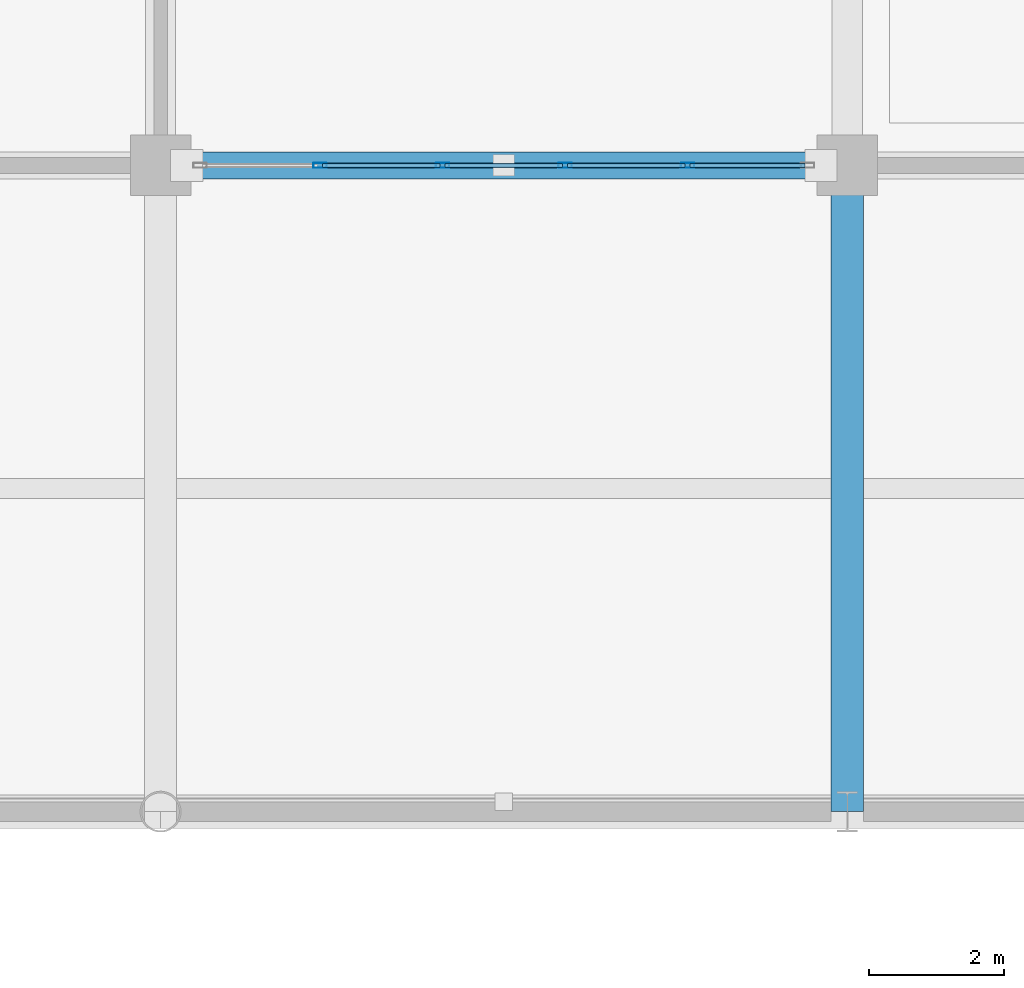
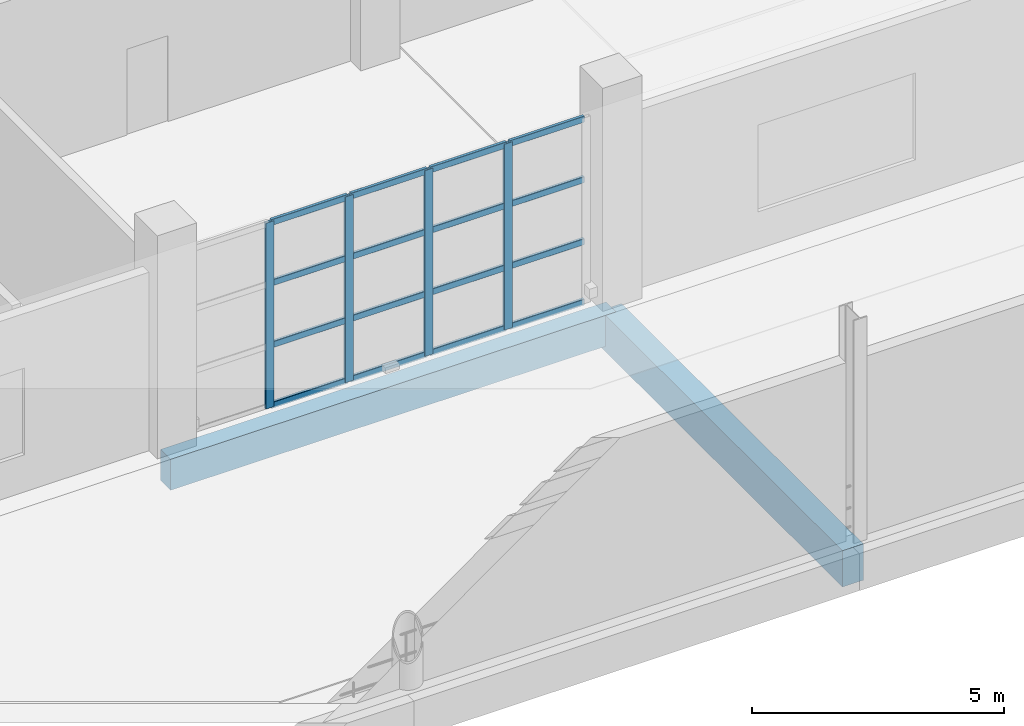
# One storey, part 40 of 175: 20 members, 2 beams, 1 element without a shape of its own.
"""IFC4 building model written with IfcOpenShell, lengths in metres."""

from ifc_helpers import new_model, si_unit, direction, frame, origin, origin_2d, place, context, subcontext, project, spatial, rectangle, hollow_rectangle, extrude, material, material_profile, profile_set, type_object, element, aggregate, save


model = new_model("IFC4")

# Units and contexts
model_context = context("Model", 3, precision=1e-05, world=origin(), true_north=direction((0.0, 1.0)))
body_context = subcontext(model_context, "Body", "Model", "MODEL_VIEW")
ifc_project = project(units=[si_unit("LENGTHUNIT", "METRE"), si_unit("AREAUNIT", "SQUARE_METRE"), si_unit("VOLUMEUNIT", "CUBIC_METRE"), si_unit("PLANEANGLEUNIT", "RADIAN"), si_unit("MASSUNIT", "GRAM", prefix="KILO")], contexts=[model_context])

# Site, building, storey
site_placement = place(None, origin())
site = spatial("IfcSite", under=ifc_project, at=site_placement, CompositionType="ELEMENT")
building_placement = place(site_placement, origin())
building = spatial("IfcBuilding", under=site, at=building_placement, Name="Brelvane Convention Centre", CompositionType="ELEMENT")
storey_placement = place(building_placement, frame((0.0, 0.0, 5.39990234375)))
storey = spatial("IfcBuildingStorey", under=building, at=storey_placement, Name="L01", CompositionType="ELEMENT", Elevation=5.39990234375)

# Curtain wall, members
ifc_material_1 = material(Name="Anodised Aluminium Alloy 6063-T6", Category="aluminium")
curtain_wall_type = type_object("IfcCurtainWallType", Name="Curtain Wall CW-COURT", PredefinedType="USERDEFINED", material=ifc_material_1)
curtain_wall_placement = place(storey_placement, origin())
curtain_wall = element("IfcCurtainWall", 1, at=curtain_wall_placement, inside=storey, type_object=curtain_wall_type, Name="Curtain Wall CW-COURT L01-V4S-07", ObjectType="UNITISED", PredefinedType="USERDEFINED")
ifc_material_2 = material(Name="Anodised Aluminium Alloy 6063-T6", Category="aluminium")
ifc_material_profile_1 = material_profile(ifc_material_2, hollow_rectangle(XDim=0.074951171875, YDim=0.199951171875, WallThickness=0.0048828125, InnerFilletRadius=0.0048828125, OuterFilletRadius=0.010009765625, at=origin_2d()), Name="ALU-M 200x75x5.0")
ifc_profile_set_1 = profile_set([ifc_material_profile_1], Name="Anodised Aluminium Alloy 6063-T6")
member_type_1 = type_object("IfcMemberType", Name="Curtain Mullion CW-M2", PredefinedType="MULLION", material=ifc_profile_set_1)
member_1_placement = place(storey_placement, frame((63.570068359375, 109.199951171875, 0.0), z_axis=(0.0, 0.0, 1.0), x_axis=(0.0, 1.0, 0.0)))
member_1 = element("IfcMember", 2, at=member_1_placement, type_object=member_type_1, Name="CW-COURT mullion 2", PredefinedType="MULLION", context=body_context, shape_type="SweptSolid", body=[
    extrude(hollow_rectangle(XDim=0.074951171875, YDim=0.199951171875, WallThickness=0.0048828125, InnerFilletRadius=0.0048828125, OuterFilletRadius=0.010009765625, at=origin_2d()), origin(), (0.0, 0.0, 1.0), 4.5),
])
member_2_placement = place(storey_placement, frame((65.389892578125, 109.199951171875, 0.0), z_axis=(0.0, 0.0, 1.0), x_axis=(0.0, 1.0, 0.0)))
member_2 = element("IfcMember", 3, at=member_2_placement, type_object=member_type_1, Name="CW-COURT mullion 3", PredefinedType="MULLION", context=body_context, shape_type="SweptSolid", body=[
    extrude(hollow_rectangle(XDim=0.074951171875, YDim=0.199951171875, WallThickness=0.0048828125, InnerFilletRadius=0.0048828125, OuterFilletRadius=0.010009765625, at=origin_2d()), origin(), (0.0, 0.0, 1.0), 4.5),
])
member_3_placement = place(storey_placement, frame((67.2099609375, 109.199951171875, 0.0), z_axis=(0.0, 0.0, 1.0), x_axis=(0.0, 1.0, 0.0)))
member_3 = element("IfcMember", 4, at=member_3_placement, type_object=member_type_1, Name="CW-COURT mullion 4", PredefinedType="MULLION", context=body_context, shape_type="SweptSolid", body=[
    extrude(hollow_rectangle(XDim=0.074951171875, YDim=0.199951171875, WallThickness=0.0048828125, InnerFilletRadius=0.0048828125, OuterFilletRadius=0.010009765625, at=origin_2d()), origin(), (0.0, 0.0, 1.0), 4.5),
])
member_4_placement = place(storey_placement, frame((69.030029296875, 109.199951171875, 0.0), z_axis=(0.0, 0.0, 1.0), x_axis=(0.0, 1.0, 0.0)))
member_4 = element("IfcMember", 5, at=member_4_placement, type_object=member_type_1, Name="CW-COURT mullion 5", PredefinedType="MULLION", context=body_context, shape_type="SweptSolid", body=[
    extrude(hollow_rectangle(XDim=0.074951171875, YDim=0.199951171875, WallThickness=0.0048828125, InnerFilletRadius=0.0048828125, OuterFilletRadius=0.010009765625, at=origin_2d()), origin(), (0.0, 0.0, 1.0), 4.5),
])
ifc_material_3 = material(Name="Anodised Aluminium Alloy 6063-T6", Category="aluminium")
ifc_material_profile_2 = material_profile(ifc_material_3, hollow_rectangle(XDim=0.070068359375, YDim=0.14990234375, WallThickness=0.00439453125, InnerFilletRadius=0.00439453125, OuterFilletRadius=0.009033203125, at=origin_2d()), Name="ALU-T 150x70x4.5")
ifc_profile_set_2 = profile_set([ifc_material_profile_2], Name="Anodised Aluminium Alloy 6063-T6")
member_type_2 = type_object("IfcMemberType", Name="Curtain Transom CW-T2", PredefinedType="USERDEFINED", material=ifc_profile_set_2)
member_5_placement = place(storey_placement, frame((63.607421875, 109.199951171875, 0.03515625), z_axis=(1.0, 0.0, 0.0), x_axis=(0.0, 1.0, 0.0)))
member_5 = element("IfcMember", 6, at=member_5_placement, type_object=member_type_2, Name="CW-COURT transom 2.1", ObjectType="TRANSOM", PredefinedType="USERDEFINED", context=body_context, shape_type="SweptSolid", body=[
    extrude(hollow_rectangle(XDim=0.070068359375, YDim=0.14990234375, WallThickness=0.00439453125, InnerFilletRadius=0.00439453125, OuterFilletRadius=0.009033203125, at=origin_2d()), origin(), (0.0, 0.0, 1.0), 1.7451171875),
])
member_6_placement = place(storey_placement, frame((63.607421875, 109.199951171875, 1.5), z_axis=(1.0, 0.0, 0.0), x_axis=(0.0, 1.0, 0.0)))
member_6 = element("IfcMember", 7, at=member_6_placement, type_object=member_type_2, Name="CW-COURT transom 2.2", ObjectType="TRANSOM", PredefinedType="USERDEFINED", context=body_context, shape_type="SweptSolid", body=[
    extrude(hollow_rectangle(XDim=0.070068359375, YDim=0.14990234375, WallThickness=0.00439453125, InnerFilletRadius=0.00439453125, OuterFilletRadius=0.009033203125, at=origin_2d()), origin(), (0.0, 0.0, 1.0), 1.7451171875),
])
member_7_placement = place(storey_placement, frame((63.607421875, 109.199951171875, 3.0), z_axis=(1.0, 0.0, 0.0), x_axis=(0.0, 1.0, 0.0)))
member_7 = element("IfcMember", 8, at=member_7_placement, type_object=member_type_2, Name="CW-COURT transom 2.3", ObjectType="TRANSOM", PredefinedType="USERDEFINED", context=body_context, shape_type="SweptSolid", body=[
    extrude(hollow_rectangle(XDim=0.070068359375, YDim=0.14990234375, WallThickness=0.00439453125, InnerFilletRadius=0.00439453125, OuterFilletRadius=0.009033203125, at=origin_2d()), origin(), (0.0, 0.0, 1.0), 1.7451171875),
])
member_8_placement = place(storey_placement, frame((63.607421875, 109.199951171875, 4.465087890625), z_axis=(1.0, 0.0, 0.0), x_axis=(0.0, 1.0, 0.0)))
member_8 = element("IfcMember", 9, at=member_8_placement, type_object=member_type_2, Name="CW-COURT transom 2.4", ObjectType="TRANSOM", PredefinedType="USERDEFINED", context=body_context, shape_type="SweptSolid", body=[
    extrude(hollow_rectangle(XDim=0.070068359375, YDim=0.14990234375, WallThickness=0.00439453125, InnerFilletRadius=0.00439453125, OuterFilletRadius=0.009033203125, at=origin_2d()), origin(), (0.0, 0.0, 1.0), 1.7451171875),
])
member_9_placement = place(storey_placement, frame((65.427490234375, 109.199951171875, 0.03515625), z_axis=(1.0, 0.0, 0.0), x_axis=(0.0, 1.0, 0.0)))
member_9 = element("IfcMember", 10, at=member_9_placement, type_object=member_type_2, Name="CW-COURT transom 3.1", ObjectType="TRANSOM", PredefinedType="USERDEFINED", context=body_context, shape_type="SweptSolid", body=[
    extrude(hollow_rectangle(XDim=0.070068359375, YDim=0.14990234375, WallThickness=0.00439453125, InnerFilletRadius=0.00439453125, OuterFilletRadius=0.009033203125, at=origin_2d()), origin(), (0.0, 0.0, 1.0), 1.7451171875),
])
member_10_placement = place(storey_placement, frame((65.427490234375, 109.199951171875, 1.5), z_axis=(1.0, 0.0, 0.0), x_axis=(0.0, 1.0, 0.0)))
member_10 = element("IfcMember", 11, at=member_10_placement, type_object=member_type_2, Name="CW-COURT transom 3.2", ObjectType="TRANSOM", PredefinedType="USERDEFINED", context=body_context, shape_type="SweptSolid", body=[
    extrude(hollow_rectangle(XDim=0.070068359375, YDim=0.14990234375, WallThickness=0.00439453125, InnerFilletRadius=0.00439453125, OuterFilletRadius=0.009033203125, at=origin_2d()), origin(), (0.0, 0.0, 1.0), 1.7451171875),
])
member_11_placement = place(storey_placement, frame((65.427490234375, 109.199951171875, 3.0), z_axis=(1.0, 0.0, 0.0), x_axis=(0.0, 1.0, 0.0)))
member_11 = element("IfcMember", 12, at=member_11_placement, type_object=member_type_2, Name="CW-COURT transom 3.3", ObjectType="TRANSOM", PredefinedType="USERDEFINED", context=body_context, shape_type="SweptSolid", body=[
    extrude(hollow_rectangle(XDim=0.070068359375, YDim=0.14990234375, WallThickness=0.00439453125, InnerFilletRadius=0.00439453125, OuterFilletRadius=0.009033203125, at=origin_2d()), origin(), (0.0, 0.0, 1.0), 1.7451171875),
])
member_12_placement = place(storey_placement, frame((65.427490234375, 109.199951171875, 4.465087890625), z_axis=(1.0, 0.0, 0.0), x_axis=(0.0, 1.0, 0.0)))
member_12 = element("IfcMember", 13, at=member_12_placement, type_object=member_type_2, Name="CW-COURT transom 3.4", ObjectType="TRANSOM", PredefinedType="USERDEFINED", context=body_context, shape_type="SweptSolid", body=[
    extrude(hollow_rectangle(XDim=0.070068359375, YDim=0.14990234375, WallThickness=0.00439453125, InnerFilletRadius=0.00439453125, OuterFilletRadius=0.009033203125, at=origin_2d()), origin(), (0.0, 0.0, 1.0), 1.7451171875),
])
member_13_placement = place(storey_placement, frame((67.24755859375, 109.199951171875, 0.03515625), z_axis=(1.0, 0.0, 0.0), x_axis=(0.0, 1.0, 0.0)))
member_13 = element("IfcMember", 14, at=member_13_placement, type_object=member_type_2, Name="CW-COURT transom 4.1", ObjectType="TRANSOM", PredefinedType="USERDEFINED", context=body_context, shape_type="SweptSolid", body=[
    extrude(hollow_rectangle(XDim=0.070068359375, YDim=0.14990234375, WallThickness=0.00439453125, InnerFilletRadius=0.00439453125, OuterFilletRadius=0.009033203125, at=origin_2d()), origin(), (0.0, 0.0, 1.0), 1.744873046875),
])
member_14_placement = place(storey_placement, frame((67.24755859375, 109.199951171875, 1.5), z_axis=(1.0, 0.0, 0.0), x_axis=(0.0, 1.0, 0.0)))
member_14 = element("IfcMember", 15, at=member_14_placement, type_object=member_type_2, Name="CW-COURT transom 4.2", ObjectType="TRANSOM", PredefinedType="USERDEFINED", context=body_context, shape_type="SweptSolid", body=[
    extrude(hollow_rectangle(XDim=0.070068359375, YDim=0.14990234375, WallThickness=0.00439453125, InnerFilletRadius=0.00439453125, OuterFilletRadius=0.009033203125, at=origin_2d()), origin(), (0.0, 0.0, 1.0), 1.744873046875),
])
member_15_placement = place(storey_placement, frame((67.24755859375, 109.199951171875, 3.0), z_axis=(1.0, 0.0, 0.0), x_axis=(0.0, 1.0, 0.0)))
member_15 = element("IfcMember", 16, at=member_15_placement, type_object=member_type_2, Name="CW-COURT transom 4.3", ObjectType="TRANSOM", PredefinedType="USERDEFINED", context=body_context, shape_type="SweptSolid", body=[
    extrude(hollow_rectangle(XDim=0.070068359375, YDim=0.14990234375, WallThickness=0.00439453125, InnerFilletRadius=0.00439453125, OuterFilletRadius=0.009033203125, at=origin_2d()), origin(), (0.0, 0.0, 1.0), 1.744873046875),
])
member_16_placement = place(storey_placement, frame((67.24755859375, 109.199951171875, 4.465087890625), z_axis=(1.0, 0.0, 0.0), x_axis=(0.0, 1.0, 0.0)))
member_16 = element("IfcMember", 17, at=member_16_placement, type_object=member_type_2, Name="CW-COURT transom 4.4", ObjectType="TRANSOM", PredefinedType="USERDEFINED", context=body_context, shape_type="SweptSolid", body=[
    extrude(hollow_rectangle(XDim=0.070068359375, YDim=0.14990234375, WallThickness=0.00439453125, InnerFilletRadius=0.00439453125, OuterFilletRadius=0.009033203125, at=origin_2d()), origin(), (0.0, 0.0, 1.0), 1.744873046875),
])
member_17_placement = place(storey_placement, frame((69.0673828125, 109.199951171875, 0.03515625), z_axis=(1.0, 0.0, 0.0), x_axis=(0.0, 1.0, 0.0)))
member_17 = element("IfcMember", 18, at=member_17_placement, type_object=member_type_2, Name="CW-COURT transom 5.1", ObjectType="TRANSOM", PredefinedType="USERDEFINED", context=body_context, shape_type="SweptSolid", body=[
    extrude(hollow_rectangle(XDim=0.070068359375, YDim=0.14990234375, WallThickness=0.00439453125, InnerFilletRadius=0.00439453125, OuterFilletRadius=0.009033203125, at=origin_2d()), origin(), (0.0, 0.0, 1.0), 1.70751953125),
])
member_18_placement = place(storey_placement, frame((69.0673828125, 109.199951171875, 1.5), z_axis=(1.0, 0.0, 0.0), x_axis=(0.0, 1.0, 0.0)))
member_18 = element("IfcMember", 19, at=member_18_placement, type_object=member_type_2, Name="CW-COURT transom 5.2", ObjectType="TRANSOM", PredefinedType="USERDEFINED", context=body_context, shape_type="SweptSolid", body=[
    extrude(hollow_rectangle(XDim=0.070068359375, YDim=0.14990234375, WallThickness=0.00439453125, InnerFilletRadius=0.00439453125, OuterFilletRadius=0.009033203125, at=origin_2d()), origin(), (0.0, 0.0, 1.0), 1.70751953125),
])
member_19_placement = place(storey_placement, frame((69.0673828125, 109.199951171875, 3.0), z_axis=(1.0, 0.0, 0.0), x_axis=(0.0, 1.0, 0.0)))
member_19 = element("IfcMember", 20, at=member_19_placement, type_object=member_type_2, Name="CW-COURT transom 5.3", ObjectType="TRANSOM", PredefinedType="USERDEFINED", context=body_context, shape_type="SweptSolid", body=[
    extrude(hollow_rectangle(XDim=0.070068359375, YDim=0.14990234375, WallThickness=0.00439453125, InnerFilletRadius=0.00439453125, OuterFilletRadius=0.009033203125, at=origin_2d()), origin(), (0.0, 0.0, 1.0), 1.70751953125),
])
member_20_placement = place(storey_placement, frame((69.0673828125, 109.199951171875, 4.465087890625), z_axis=(1.0, 0.0, 0.0), x_axis=(0.0, 1.0, 0.0)))
member_20 = element("IfcMember", 21, at=member_20_placement, type_object=member_type_2, Name="CW-COURT transom 5.4", ObjectType="TRANSOM", PredefinedType="USERDEFINED", context=body_context, shape_type="SweptSolid", body=[
    extrude(hollow_rectangle(XDim=0.070068359375, YDim=0.14990234375, WallThickness=0.00439453125, InnerFilletRadius=0.00439453125, OuterFilletRadius=0.009033203125, at=origin_2d()), origin(), (0.0, 0.0, 1.0), 1.70751953125),
])
aggregate(curtain_wall, [member_1, member_2, member_3, member_4, member_5, member_6, member_7, member_8, member_9, member_10, member_11, member_12, member_13, member_14, member_15, member_16, member_17, member_18, member_19, member_20])

# Beams
ifc_material_4 = material(Name="Concrete M40", Category="concrete")
ifc_material_profile_3 = material_profile(ifc_material_4, rectangle(XDim=0.47998046875, YDim=0.8798828125, at=origin_2d()), Name="RC 480x880")
ifc_profile_set_3 = profile_set([ifc_material_profile_3], Name="Concrete M40")
beam_type_1 = type_object("IfcBeamType", Name="RC Beam B-RC10 (RC 480x880)", PredefinedType="BEAM", material=ifc_profile_set_3)
beam_1_placement = place(storey_placement, frame((71.39990234375, 99.60009765625, -0.760009765625), z_axis=(0.0, 1.0, 0.0), x_axis=(-1.0, 0.0, 0.0)))
element("IfcBeam", 22, at=beam_1_placement, inside=storey, type_object=beam_type_1, Name="L01 Girder 8/K-L", PredefinedType="BEAM", context=body_context, shape_type="SweptSolid", body=[
    extrude(rectangle(XDim=0.47998046875, YDim=0.8798828125, at=origin_2d()), origin(), (0.0, 0.0, 1.0), 9.599853515625),
])
ifc_material_5 = material(Name="Concrete M40", Category="concrete")
ifc_material_profile_4 = material_profile(ifc_material_5, rectangle(XDim=0.39990234375, YDim=0.75, at=origin_2d()), Name="RC 400x750")
ifc_profile_set_4 = profile_set([ifc_material_profile_4], Name="Concrete M40")
beam_type_2 = type_object("IfcBeamType", Name="RC Spandrel SP-RC1 (RC 400x750)", PredefinedType="SPANDREL", material=ifc_profile_set_4)
beam_2_placement = place(storey_placement, frame((61.199951171875, 109.199951171875, -0.69482421875), z_axis=(1.0, 0.0, 0.0), x_axis=(0.0, 1.0, 0.0)))
element("IfcBeam", 23, at=beam_2_placement, inside=storey, type_object=beam_type_2, Name="L01 Beam 7-8/L", PredefinedType="SPANDREL", context=body_context, shape_type="SweptSolid", body=[
    extrude(rectangle(XDim=0.39990234375, YDim=0.75, at=origin_2d()), origin(), (0.0, 0.0, 1.0), 10.199951171875),
])

save(model, "model.ifc")
